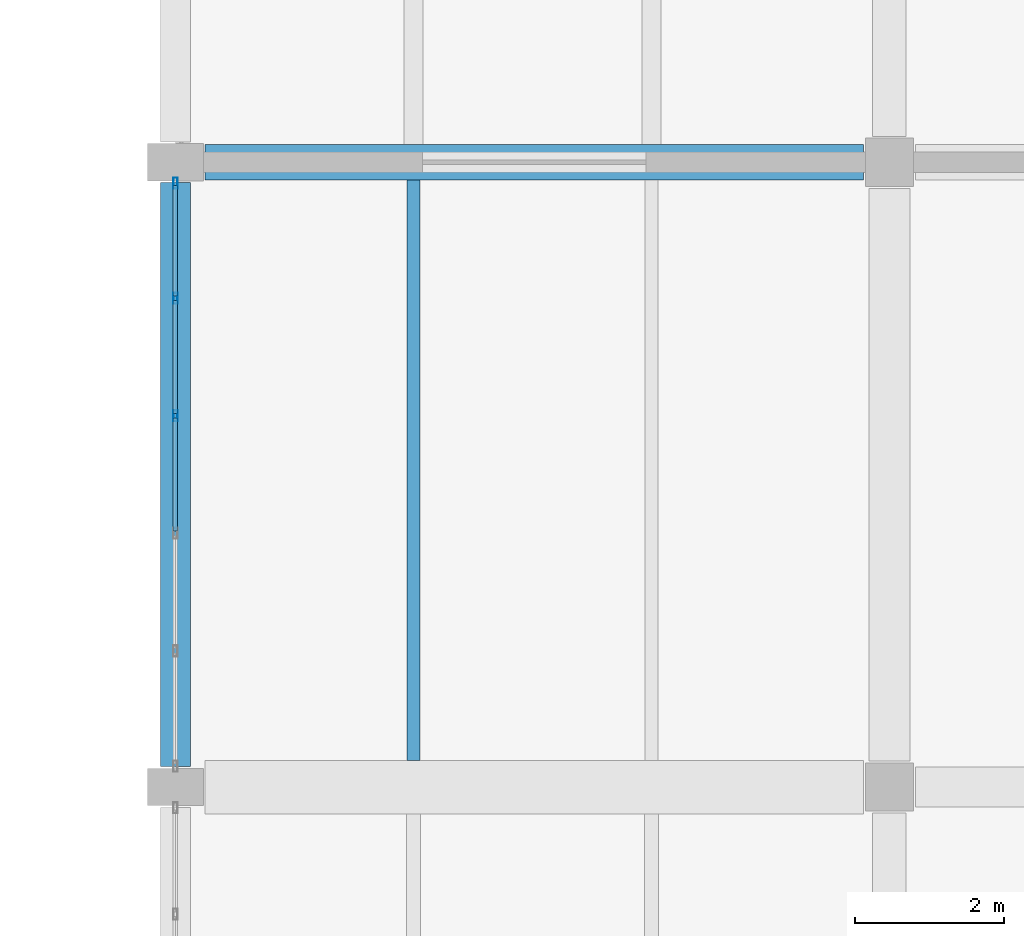
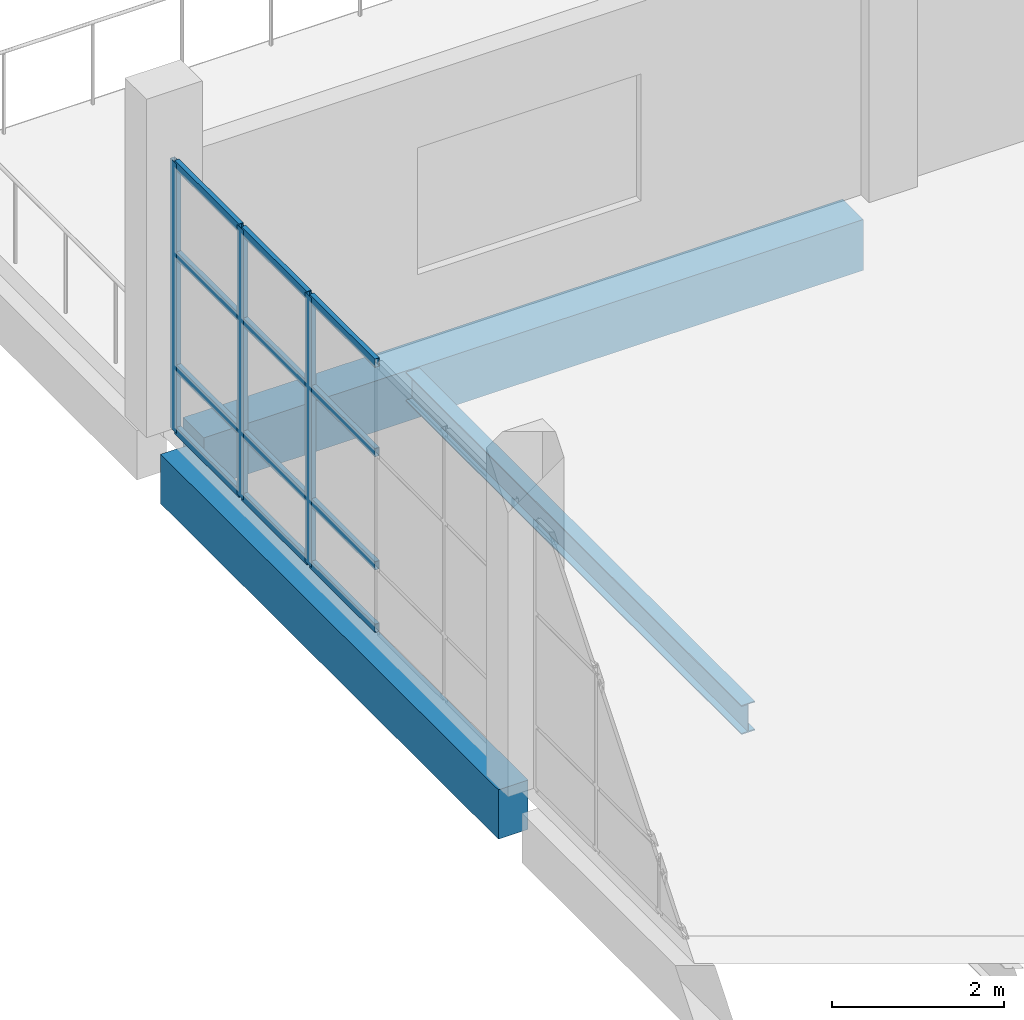
# One storey, part 42 of 79: 15 members, 3 beams, 1 element without a shape of its own.
"""IFC4 building model written with IfcOpenShell, lengths in metres."""

from ifc_helpers import new_model, si_unit, direction, frame, origin, origin_2d, place, context, subcontext, project, spatial, rectangle, hollow_rectangle, i_section, extrude, material, material_profile, profile_set, type_object, element, aggregate, save


model = new_model("IFC4")

# Units and contexts
model_context = context("Model", 3, precision=1e-05, world=origin(), true_north=direction((0.0, 1.0)))
body_context = subcontext(model_context, "Body", "Model", "MODEL_VIEW")
ifc_project = project(units=[si_unit("LENGTHUNIT", "METRE"), si_unit("AREAUNIT", "SQUARE_METRE"), si_unit("VOLUMEUNIT", "CUBIC_METRE"), si_unit("PLANEANGLEUNIT", "RADIAN"), si_unit("MASSUNIT", "GRAM", prefix="KILO")], contexts=[model_context])

# Site, building, storey
site_placement = place(None, origin())
site = spatial("IfcSite", under=ifc_project, at=site_placement, CompositionType="ELEMENT")
building_placement = place(site_placement, origin())
building = spatial("IfcBuilding", under=site, at=building_placement, Name="Pellamere Symphony Hall", CompositionType="ELEMENT")
storey_placement = place(building_placement, frame((0.0, 0.0, 10.199951171875)))
storey = spatial("IfcBuildingStorey", under=building, at=storey_placement, Name="L02", CompositionType="ELEMENT", Elevation=10.199951171875)

# Curtain wall, members
ifc_material_1 = material(Name="Thermally Broken Anodised Aluminium 6063-T6 Curtain Wall", Category="aluminium")
curtain_wall_type = type_object("IfcCurtainWallType", Name="Curtain Wall CW-05 (Artists Wing North Studio Ribbon Curtain Wall)", PredefinedType="NOTDEFINED", material=ifc_material_1)
curtain_wall_placement = place(storey_placement, origin())
curtain_wall = element("IfcCurtainWall", 1, at=curtain_wall_placement, inside=storey, type_object=curtain_wall_type, Name="Sculpture Court East Wing Curtain Wall (L02 Bay 4)", PredefinedType="NOTDEFINED")
ifc_material_2 = material(Name="Anodised Architectural Aluminium 6063-T6", Category="aluminium")
ifc_material_profile_1 = material_profile(ifc_material_2, hollow_rectangle(XDim=0.06005859375, YDim=0.14990234375, WallThickness=0.00390625, at=origin_2d()), Name="ALU-M60X150X4")
ifc_profile_set_1 = profile_set([ifc_material_profile_1], Name="Anodised Architectural Aluminium 6063-T6")
member_type_1 = type_object("IfcMemberType", Name="Curtain Wall Mullion ML-03 ALU-M60X150X4", PredefinedType="MULLION", material=ifc_profile_set_1)
member_1_placement = place(storey_placement, frame((138.0, 90.18994140625, 0.0), z_axis=(0.0, 0.0, 1.0), x_axis=(-1.0, 0.0, 0.0)))
member_1 = element("IfcMember", 2, at=member_1_placement, type_object=member_type_1, Name="CW5-140 crystal mullion 4", PredefinedType="MULLION", context=body_context, shape_type="SweptSolid", body=[
    extrude(hollow_rectangle(XDim=0.06005859375, YDim=0.14990234375, WallThickness=0.00390625, at=origin_2d()), origin(), (0.0, 0.0, 1.0), 3.820068359375),
])
member_2_placement = place(storey_placement, frame((138.0, 91.77001953125, 0.0), z_axis=(0.0, 0.0, 1.0), x_axis=(-1.0, 0.0, 0.0)))
member_2 = element("IfcMember", 3, at=member_2_placement, type_object=member_type_1, Name="CW5-140 crystal mullion 5", PredefinedType="MULLION", context=body_context, shape_type="SweptSolid", body=[
    extrude(hollow_rectangle(XDim=0.06005859375, YDim=0.14990234375, WallThickness=0.00390625, at=origin_2d()), origin(), (0.0, 0.0, 1.0), 3.820068359375),
])
member_3_placement = place(storey_placement, frame((138.0, 93.320068359375, 0.0), z_axis=(0.0, 0.0, 1.0), x_axis=(-1.0, 0.0, 0.0)))
member_3 = element("IfcMember", 4, at=member_3_placement, type_object=member_type_1, Name="CW5-140 crystal mullion 6", PredefinedType="MULLION", context=body_context, shape_type="SweptSolid", body=[
    extrude(hollow_rectangle(XDim=0.06005859375, YDim=0.14990234375, WallThickness=0.00390625, at=origin_2d()), origin(), (0.0, 0.0, 1.0), 3.820068359375),
])
ifc_material_profile_2 = material_profile(ifc_material_2, hollow_rectangle(XDim=0.06005859375, YDim=0.1201171875, WallThickness=0.00390625, at=origin_2d()), Name="ALU-T60X120X4")
ifc_profile_set_2 = profile_set([ifc_material_profile_2], Name="Anodised Architectural Aluminium 6063-T6")
member_type_2 = type_object("IfcMemberType", Name="Curtain Wall Transom TR-03 ALU-T60X120X4", PredefinedType="USERDEFINED", material=ifc_profile_set_2)
member_4_placement = place(storey_placement, frame((138.0, 88.639892578125, 0.030029296875), z_axis=(0.0, 1.0, 0.0), x_axis=(-1.0, 0.0, 0.0)))
member_4 = element("IfcMember", 5, at=member_4_placement, type_object=member_type_2, Name="CW5-140 crystal transom 3.1", ObjectType="TRANSOM", PredefinedType="USERDEFINED", context=body_context, shape_type="SweptSolid", body=[
    extrude(hollow_rectangle(XDim=0.06005859375, YDim=0.1201171875, WallThickness=0.00390625, at=origin_2d()), origin(), (0.0, 0.0, 1.0), 1.52001953125),
])
member_5_placement = place(storey_placement, frame((138.0, 88.639892578125, 0.916748046875), z_axis=(0.0, 1.0, 0.0), x_axis=(-1.0, 0.0, 0.0)))
member_5 = element("IfcMember", 6, at=member_5_placement, type_object=member_type_2, Name="CW5-140 crystal transom 3.2", ObjectType="TRANSOM", PredefinedType="USERDEFINED", context=body_context, shape_type="SweptSolid", body=[
    extrude(hollow_rectangle(XDim=0.06005859375, YDim=0.1201171875, WallThickness=0.00390625, at=origin_2d()), origin(), (0.0, 0.0, 1.0), 1.52001953125),
])
member_6_placement = place(storey_placement, frame((138.0, 88.639892578125, 2.521240234375), z_axis=(0.0, 1.0, 0.0), x_axis=(-1.0, 0.0, 0.0)))
member_6 = element("IfcMember", 7, at=member_6_placement, type_object=member_type_2, Name="CW5-140 crystal transom 3.3", ObjectType="TRANSOM", PredefinedType="USERDEFINED", context=body_context, shape_type="SweptSolid", body=[
    extrude(hollow_rectangle(XDim=0.06005859375, YDim=0.1201171875, WallThickness=0.00390625, at=origin_2d()), origin(), (0.0, 0.0, 1.0), 1.52001953125),
])
member_7_placement = place(storey_placement, frame((138.0, 88.639892578125, 3.7900390625), z_axis=(0.0, 1.0, 0.0), x_axis=(-1.0, 0.0, 0.0)))
member_7 = element("IfcMember", 8, at=member_7_placement, type_object=member_type_2, Name="CW5-140 crystal transom 3.4", ObjectType="TRANSOM", PredefinedType="USERDEFINED", context=body_context, shape_type="SweptSolid", body=[
    extrude(hollow_rectangle(XDim=0.06005859375, YDim=0.1201171875, WallThickness=0.00390625, at=origin_2d()), origin(), (0.0, 0.0, 1.0), 1.52001953125),
])
member_8_placement = place(storey_placement, frame((138.0, 90.219970703125, 0.030029296875), z_axis=(0.0, 1.0, 0.0), x_axis=(-1.0, 0.0, 0.0)))
member_8 = element("IfcMember", 9, at=member_8_placement, type_object=member_type_2, Name="CW5-140 crystal transom 4.1", ObjectType="TRANSOM", PredefinedType="USERDEFINED", context=body_context, shape_type="SweptSolid", body=[
    extrude(hollow_rectangle(XDim=0.06005859375, YDim=0.1201171875, WallThickness=0.00390625, at=origin_2d()), origin(), (0.0, 0.0, 1.0), 1.52001953125),
])
member_9_placement = place(storey_placement, frame((138.0, 90.219970703125, 0.916748046875), z_axis=(0.0, 1.0, 0.0), x_axis=(-1.0, 0.0, 0.0)))
member_9 = element("IfcMember", 10, at=member_9_placement, type_object=member_type_2, Name="CW5-140 crystal transom 4.2", ObjectType="TRANSOM", PredefinedType="USERDEFINED", context=body_context, shape_type="SweptSolid", body=[
    extrude(hollow_rectangle(XDim=0.06005859375, YDim=0.1201171875, WallThickness=0.00390625, at=origin_2d()), origin(), (0.0, 0.0, 1.0), 1.52001953125),
])
member_10_placement = place(storey_placement, frame((138.0, 90.219970703125, 2.521240234375), z_axis=(0.0, 1.0, 0.0), x_axis=(-1.0, 0.0, 0.0)))
member_10 = element("IfcMember", 11, at=member_10_placement, type_object=member_type_2, Name="CW5-140 crystal transom 4.3", ObjectType="TRANSOM", PredefinedType="USERDEFINED", context=body_context, shape_type="SweptSolid", body=[
    extrude(hollow_rectangle(XDim=0.06005859375, YDim=0.1201171875, WallThickness=0.00390625, at=origin_2d()), origin(), (0.0, 0.0, 1.0), 1.52001953125),
])
member_11_placement = place(storey_placement, frame((138.0, 90.219970703125, 3.7900390625), z_axis=(0.0, 1.0, 0.0), x_axis=(-1.0, 0.0, 0.0)))
member_11 = element("IfcMember", 12, at=member_11_placement, type_object=member_type_2, Name="CW5-140 crystal transom 4.4", ObjectType="TRANSOM", PredefinedType="USERDEFINED", context=body_context, shape_type="SweptSolid", body=[
    extrude(hollow_rectangle(XDim=0.06005859375, YDim=0.1201171875, WallThickness=0.00390625, at=origin_2d()), origin(), (0.0, 0.0, 1.0), 1.52001953125),
])
member_12_placement = place(storey_placement, frame((138.0, 91.800048828125, 0.030029296875), z_axis=(0.0, 1.0, 0.0), x_axis=(-1.0, 0.0, 0.0)))
member_12 = element("IfcMember", 13, at=member_12_placement, type_object=member_type_2, Name="CW5-140 crystal transom 5.1", ObjectType="TRANSOM", PredefinedType="USERDEFINED", context=body_context, shape_type="SweptSolid", body=[
    extrude(hollow_rectangle(XDim=0.06005859375, YDim=0.1201171875, WallThickness=0.00390625, at=origin_2d()), origin(), (0.0, 0.0, 1.0), 1.489990234375),
])
member_13_placement = place(storey_placement, frame((138.0, 91.800048828125, 0.916748046875), z_axis=(0.0, 1.0, 0.0), x_axis=(-1.0, 0.0, 0.0)))
member_13 = element("IfcMember", 14, at=member_13_placement, type_object=member_type_2, Name="CW5-140 crystal transom 5.2", ObjectType="TRANSOM", PredefinedType="USERDEFINED", context=body_context, shape_type="SweptSolid", body=[
    extrude(hollow_rectangle(XDim=0.06005859375, YDim=0.1201171875, WallThickness=0.00390625, at=origin_2d()), origin(), (0.0, 0.0, 1.0), 1.489990234375),
])
member_14_placement = place(storey_placement, frame((138.0, 91.800048828125, 2.521240234375), z_axis=(0.0, 1.0, 0.0), x_axis=(-1.0, 0.0, 0.0)))
member_14 = element("IfcMember", 15, at=member_14_placement, type_object=member_type_2, Name="CW5-140 crystal transom 5.3", ObjectType="TRANSOM", PredefinedType="USERDEFINED", context=body_context, shape_type="SweptSolid", body=[
    extrude(hollow_rectangle(XDim=0.06005859375, YDim=0.1201171875, WallThickness=0.00390625, at=origin_2d()), origin(), (0.0, 0.0, 1.0), 1.489990234375),
])
member_15_placement = place(storey_placement, frame((138.0, 91.800048828125, 3.7900390625), z_axis=(0.0, 1.0, 0.0), x_axis=(-1.0, 0.0, 0.0)))
member_15 = element("IfcMember", 16, at=member_15_placement, type_object=member_type_2, Name="CW5-140 crystal transom 5.4", ObjectType="TRANSOM", PredefinedType="USERDEFINED", context=body_context, shape_type="SweptSolid", body=[
    extrude(hollow_rectangle(XDim=0.06005859375, YDim=0.1201171875, WallThickness=0.00390625, at=origin_2d()), origin(), (0.0, 0.0, 1.0), 1.489990234375),
])
aggregate(curtain_wall, [member_1, member_2, member_3, member_4, member_5, member_6, member_7, member_8, member_9, member_10, member_11, member_12, member_13, member_14, member_15])

# Beams
ifc_material_3 = material(Name="Concrete 40 MPa", Category="concrete")
ifc_material_profile_3 = material_profile(ifc_material_3, rectangle(XDim=0.39990234375, YDim=0.699951171875, at=origin_2d()), Name="RC 400x700")
ifc_profile_set_3 = profile_set([ifc_material_profile_3], Name="Concrete 40 MPa")
beam_type_1 = type_object("IfcBeamType", Name="RC CB-13 400x700", PredefinedType="SPANDREL", material=ifc_profile_set_3)
beam_1_placement = place(storey_placement, frame((138.0, 85.47509765625, -0.6298828125), z_axis=(0.0, 1.0, 0.0), x_axis=(-1.0, 0.0, 0.0)))
element("IfcBeam", 17, at=beam_1_placement, inside=storey, type_object=beam_type_1, Name="Girder CB-13-Y1352 (L02)", PredefinedType="SPANDREL", context=body_context, shape_type="SweptSolid", body=[
    extrude(rectangle(XDim=0.39990234375, YDim=0.699951171875, at=origin_2d()), origin(), (0.0, 0.0, 1.0), 7.849853515625),
])
ifc_material_profile_4 = material_profile(ifc_material_3, rectangle(XDim=0.47998046875, YDim=0.719970703125, at=origin_2d()), Name="RC 480x720")
ifc_profile_set_4 = profile_set([ifc_material_profile_4], Name="Concrete 40 MPa")
beam_type_2 = type_object("IfcBeamType", Name="RC CB-14 480x720", PredefinedType="SPANDREL", material=ifc_profile_set_4)
beam_2_placement = place(storey_placement, frame((138.39990234375, 93.60009765625, -0.639892578125), z_axis=(1.0, 0.0, 0.0), x_axis=(0.0, 1.0, 0.0)))
element("IfcBeam", 18, at=beam_2_placement, inside=storey, type_object=beam_type_2, Name="Girder CB-14-X1186 (L02)", PredefinedType="SPANDREL", context=body_context, shape_type="SweptSolid", body=[
    extrude(rectangle(XDim=0.47998046875, YDim=0.719970703125, at=origin_2d()), origin(), (0.0, 0.0, 1.0), 8.85009765625),
])
ifc_material_4 = material(Name="Steel CSA G40.21 350W", Category="steel")
ifc_material_profile_5 = material_profile(ifc_material_4, i_section(OverallWidth=0.179931640625, OverallDepth=0.4130859375, WebThickness=0.009765625, FlangeThickness=0.01513671875, at=origin_2d()), Name="W410X74")
ifc_profile_set_5 = profile_set([ifc_material_profile_5], Name="Steel CSA G40.21 350W")
beam_type_3 = type_object("IfcBeamType", Name="Steel Joist SB-19 W410X74", PredefinedType="JOIST", material=ifc_profile_set_5)
beam_3_placement = place(storey_placement, frame((141.199951171875, 85.56005859375, -0.50146484375), z_axis=(0.0, 1.0, 0.0), x_axis=(-1.0, 0.0, 0.0)))
element("IfcBeam", 19, at=beam_3_placement, inside=storey, type_object=beam_type_3, Name="Secondary Floor Beam SB-19-A1711 (L02)", PredefinedType="JOIST", context=body_context, shape_type="SweptSolid", body=[
    extrude(i_section(OverallWidth=0.179931640625, OverallDepth=0.4130859375, WebThickness=0.009765625, FlangeThickness=0.01513671875, at=origin_2d()), origin(), (0.0, 0.0, 1.0), 7.800048828125),
])

save(model, "model.ifc")
